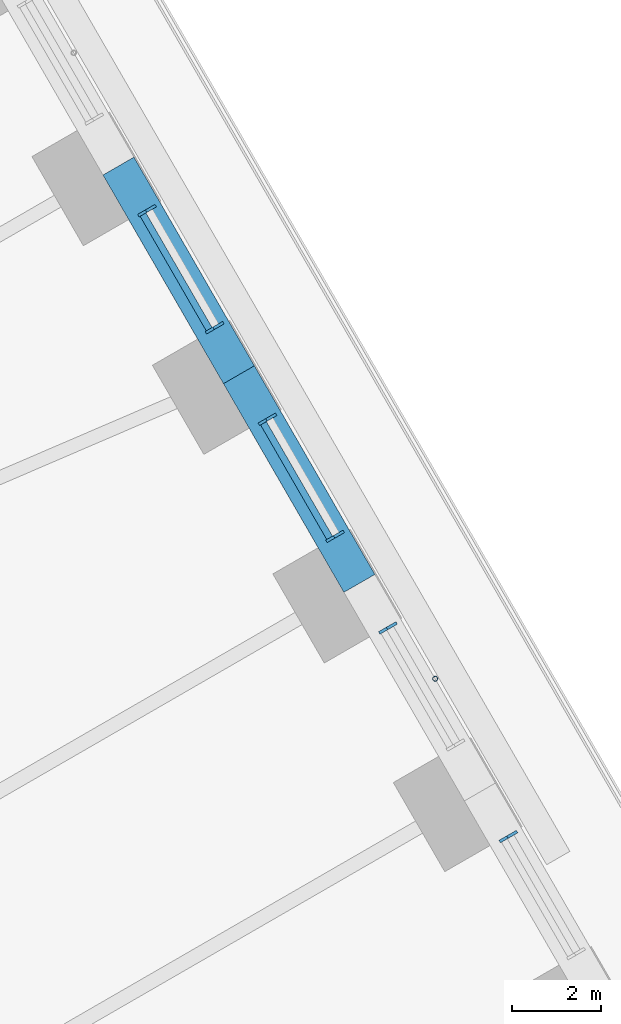
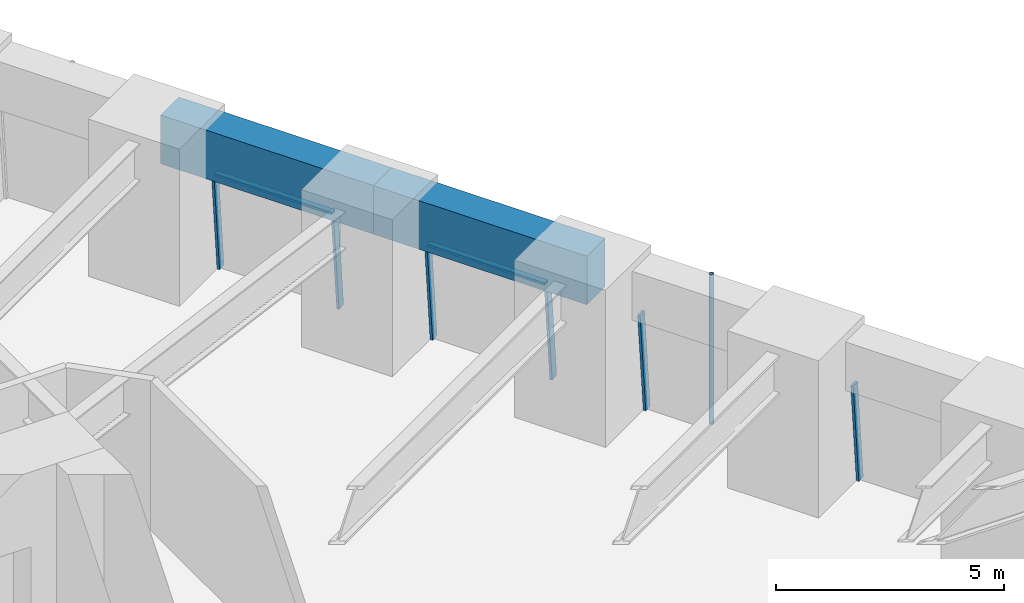
# One storey, part 13 of 23: 9 members, 2 beams, 4 elements without a shape of their own.
"""IFC4 building model written with IfcOpenShell, lengths in metres."""

from ifc_helpers import new_model, si_unit, direction, frame, origin, origin_2d, place, context, subcontext, project, spatial, rectangle, hollow_circle, extrude, material, material_profile, profile_set, type_object, element, aggregate, save


model = new_model("IFC4")

# Units and contexts
model_context = context("Model", 3, precision=1e-05, world=origin(), true_north=direction((0.0, 1.0)))
body_context = subcontext(model_context, "Body", "Model", "MODEL_VIEW")
ifc_project = project(units=[si_unit("LENGTHUNIT", "METRE"), si_unit("AREAUNIT", "SQUARE_METRE"), si_unit("VOLUMEUNIT", "CUBIC_METRE"), si_unit("PLANEANGLEUNIT", "RADIAN"), si_unit("MASSUNIT", "GRAM", prefix="KILO")], contexts=[model_context])

# Site, building, storey
site_placement = place(None, origin())
site = spatial("IfcSite", under=ifc_project, at=site_placement, CompositionType="ELEMENT")
building_placement = place(site_placement, origin())
building = spatial("IfcBuilding", under=site, at=building_placement, Name="Tarfa Lantern Tower", CompositionType="ELEMENT")
storey_placement = place(building_placement, frame((0.0, 0.0, 31.89990234375)))
storey = spatial("IfcBuildingStorey", under=building, at=storey_placement, Name="L06", CompositionType="ELEMENT", Elevation=31.89990234375)

# Curtain wall, member
ifc_material_1 = material(Name="Aluminium framed curtain wall", Category="aluminium")
curtain_wall_type = type_object("IfcCurtainWallType", Name="CW1 CANTED GLAZING LOW ZONE 2700", PredefinedType="USERDEFINED", material=ifc_material_1)
curtain_wall_1_placement = place(storey_placement, origin())
curtain_wall_1 = element("IfcCurtainWall", 1, at=curtain_wall_1_placement, inside=storey, type_object=curtain_wall_type, Name="CW1 NE L06", ObjectType="CURTAIN WALL", PredefinedType="USERDEFINED")
ifc_material_2 = material(Name="Aluminium mullion", Category="aluminium")
ifc_material_profile_1 = material_profile(ifc_material_2, rectangle(XDim=0.06494140625, YDim=0.199951171875, at=origin_2d()), Name="AL MULLION 65x200")
ifc_profile_set_1 = profile_set([ifc_material_profile_1], Name="Aluminium mullion")
member_type_1 = type_object("IfcMemberType", Name="CWM1 MULLION 65x200", PredefinedType="MULLION", material=ifc_profile_set_1)
member_1_placement = place(storey_placement, frame((35.338134765625, 6.592529296875, 0.0), z_axis=(-0.079857261722, -0.046095736191, 0.995739926314), x_axis=(0.499919672301, -0.866071776036, 0.0)))
member_1 = element("IfcMember", 2, at=member_1_placement, type_object=member_type_1, Name="CW1 mullion 2", PredefinedType="MULLION", context=body_context, shape_type="SweptSolid", body=[
    extrude(rectangle(XDim=0.06494140625, YDim=0.199951171875, at=origin_2d()), origin(), (0.0, 0.0, 1.0), 2.711669921875),
])
aggregate(curtain_wall_1, [member_1])

curtain_wall_2_placement = place(storey_placement, origin())
curtain_wall_2 = element("IfcCurtainWall", 3, at=curtain_wall_2_placement, inside=storey, type_object=curtain_wall_type, Name="CW1 NE L06", ObjectType="CURTAIN WALL", PredefinedType="USERDEFINED")
member_2_placement = place(storey_placement, frame((32.643798828125, 11.25927734375, 0.0), z_axis=(-0.079857261722, -0.046095736191, 0.995739926314), x_axis=(0.499919672301, -0.866071776036, 0.0)))
member_2 = element("IfcMember", 4, at=member_2_placement, type_object=member_type_1, Name="CW1 mullion 2", PredefinedType="MULLION", context=body_context, shape_type="SweptSolid", body=[
    extrude(rectangle(XDim=0.06494140625, YDim=0.199951171875, at=origin_2d()), origin(), (0.0, 0.0, 1.0), 2.711669921875),
])
aggregate(curtain_wall_2, [member_2])

# Curtain wall, members
curtain_wall_3_placement = place(storey_placement, origin())
curtain_wall_3 = element("IfcCurtainWall", 5, at=curtain_wall_3_placement, inside=storey, type_object=curtain_wall_type, Name="CW1 NE L06", ObjectType="CURTAIN WALL", PredefinedType="USERDEFINED")
member_3_placement = place(storey_placement, frame((31.46142578125, 13.307373046875, 0.0), z_axis=(-0.079857261722, -0.046095736191, 0.995739926314), x_axis=(0.499919672301, -0.866071776036, 0.0)))
member_3 = element("IfcMember", 6, at=member_3_placement, type_object=member_type_1, Name="CW1 mullion 1", PredefinedType="MULLION", context=body_context, shape_type="SweptSolid", body=[
    extrude(rectangle(XDim=0.06494140625, YDim=0.199951171875, at=origin_2d()), origin(), (0.0, 0.0, 1.0), 2.711669921875),
])
member_4_placement = place(storey_placement, frame((29.949462890625, 15.926025390625, 0.0), z_axis=(-0.079857261722, -0.046095736191, 0.995739926314), x_axis=(0.499919672301, -0.866071776036, 0.0)))
member_4 = element("IfcMember", 7, at=member_4_placement, type_object=member_type_1, Name="CW1 mullion 2", PredefinedType="MULLION", context=body_context, shape_type="SweptSolid", body=[
    extrude(rectangle(XDim=0.06494140625, YDim=0.199951171875, at=origin_2d()), origin(), (0.0, 0.0, 1.0), 2.711669921875),
])

curtain_wall_4_placement = place(storey_placement, origin())
curtain_wall_4 = element("IfcCurtainWall", 8, at=curtain_wall_4_placement, inside=storey, type_object=curtain_wall_type, Name="CW1 NE L06", ObjectType="CURTAIN WALL", PredefinedType="USERDEFINED")
member_5_placement = place(storey_placement, frame((28.76708984375, 17.97412109375, 0.0), z_axis=(-0.079857261722, -0.046095736191, 0.995739926314), x_axis=(0.499919672301, -0.866071776036, 0.0)))
member_5 = element("IfcMember", 9, at=member_5_placement, type_object=member_type_1, Name="CW1 mullion 1", PredefinedType="MULLION", context=body_context, shape_type="SweptSolid", body=[
    extrude(rectangle(XDim=0.06494140625, YDim=0.199951171875, at=origin_2d()), origin(), (0.0, 0.0, 1.0), 2.711669921875),
])
member_6_placement = place(storey_placement, frame((27.255126953125, 20.592529296875, 0.0), z_axis=(-0.079767804165, -0.046096067418, 0.995747081335), x_axis=(0.500342721131, -0.865827443207, 0.0)))
member_6 = element("IfcMember", 10, at=member_6_placement, type_object=member_type_1, Name="CW1 mullion 2", PredefinedType="MULLION", context=body_context, shape_type="SweptSolid", body=[
    extrude(rectangle(XDim=0.06494140625, YDim=0.199951171875, at=origin_2d()), origin(), (0.0, 0.0, 1.0), 2.711669921875),
])

# Member
ifc_material_3 = material(Name="Aluminium transom", Category="aluminium")
ifc_material_profile_2 = material_profile(ifc_material_3, rectangle(XDim=0.14990234375, YDim=0.06494140625, at=origin_2d()), Name="AL TRANSOM 150x65")
ifc_profile_set_2 = profile_set([ifc_material_profile_2], Name="Aluminium transom")
member_type_2 = type_object("IfcMemberType", Name="CWT1 TRANSOM 150x65", PredefinedType="USERDEFINED", material=ifc_profile_set_2)
member_7_placement = place(storey_placement, frame((31.231201171875, 13.212158203125, 2.66748046875), z_axis=(-0.500017718492, 0.866015173767, 0.0), x_axis=(-0.866015173767, -0.500017718492, 0.0)))
member_7 = element("IfcMember", 11, at=member_7_placement, type_object=member_type_2, Name="CW1 transom 1.2", ObjectType="TRANSOM", PredefinedType="USERDEFINED", context=body_context, shape_type="SweptSolid", body=[
    extrude(rectangle(XDim=0.14990234375, YDim=0.06494140625, at=origin_2d()), origin(), (0.0, 0.0, 1.0), 2.95849609375),
])

aggregate(curtain_wall_3, [member_3, member_4, member_7])

member_8_placement = place(storey_placement, frame((28.536865234375, 17.878662109375, 2.66748046875), z_axis=(-0.499981985492, 0.866035804215, 0.0), x_axis=(-0.866035804215, -0.499981985492, 0.0)))
member_8 = element("IfcMember", 12, at=member_8_placement, type_object=member_type_2, Name="CW1 transom 1.2", ObjectType="TRANSOM", PredefinedType="USERDEFINED", context=body_context, shape_type="SweptSolid", body=[
    extrude(rectangle(XDim=0.14990234375, YDim=0.06494140625, at=origin_2d()), origin(), (0.0, 0.0, 1.0), 2.95849609375),
])

aggregate(curtain_wall_4, [member_5, member_6, member_8])

# Beams
ifc_material_4 = material(Name="Concrete C80/95", Category="concrete")
ifc_material_profile_3 = material_profile(ifc_material_4, rectangle(XDim=0.800048828125, YDim=1.300048828125, at=origin_2d()), Name="RC 800x1300")
ifc_profile_set_3 = profile_set([ifc_material_profile_3], Name="Concrete C80/95")
beam_type = type_object("IfcBeamType", Name="EB1 RC 800x1300", PredefinedType="SPANDREL", material=ifc_profile_set_3)
beam_1_placement = place(storey_placement, frame((31.896728515625, 12.193359375, 3.35009765625), z_axis=(-0.499998287579, 0.866026392449, 0.0), x_axis=(-0.866026392449, -0.499998287579, 0.0)))
element("IfcBeam", 13, at=beam_1_placement, inside=storey, type_object=beam_type, Name="Edge beam NE2", PredefinedType="SPANDREL", context=body_context, shape_type="SweptSolid", body=[
    extrude(rectangle(XDim=0.800048828125, YDim=1.300048828125, at=origin_2d()), origin(), (0.0, 0.0, 1.0), 5.388671875),
])
beam_2_placement = place(storey_placement, frame((29.202392578125, 16.860107421875, 3.35009765625), z_axis=(-0.500017906299, 0.866015065331, 0.0), x_axis=(-0.866015065331, -0.500017906299, 0.0)))
element("IfcBeam", 14, at=beam_2_placement, inside=storey, type_object=beam_type, Name="Edge beam NE3", PredefinedType="SPANDREL", context=body_context, shape_type="SweptSolid", body=[
    extrude(rectangle(XDim=0.800048828125, YDim=1.300048828125, at=origin_2d()), origin(), (0.0, 0.0, 1.0), 5.388427734375),
])

# Member
ifc_material_5 = material(Name="Steel S355", Category="steel")
ifc_material_profile_4 = material_profile(ifc_material_5, hollow_circle(Radius=0.05712890625, WallThickness=0.00634765625, at=origin_2d()), Name="CHS114.3x6.3")
ifc_profile_set_4 = profile_set([ifc_material_profile_4], Name="Steel S355")
member_type_3 = type_object("IfcMemberType", Name="TR1 GREEN WALL TRELLIS CHS114.3x6.3", PredefinedType="USERDEFINED", material=ifc_profile_set_4)
member_9_placement = place(storey_placement, frame((33.59033203125, 10.06005859375, 0.0), z_axis=(0.0, 0.0, 1.0), x_axis=(1.0, 0.0, 0.0)))
element("IfcMember", 15, at=member_9_placement, inside=storey, type_object=member_type_3, Name="Trellis post NE 1", ObjectType="TRELLIS", PredefinedType="USERDEFINED", context=body_context, shape_type="SweptSolid", body=[
    extrude(hollow_circle(Radius=0.05712890625, WallThickness=0.00634765625, at=origin_2d()), origin(), (0.0, 0.0, 1.0), 4.0),
])

save(model, "model.ifc")
